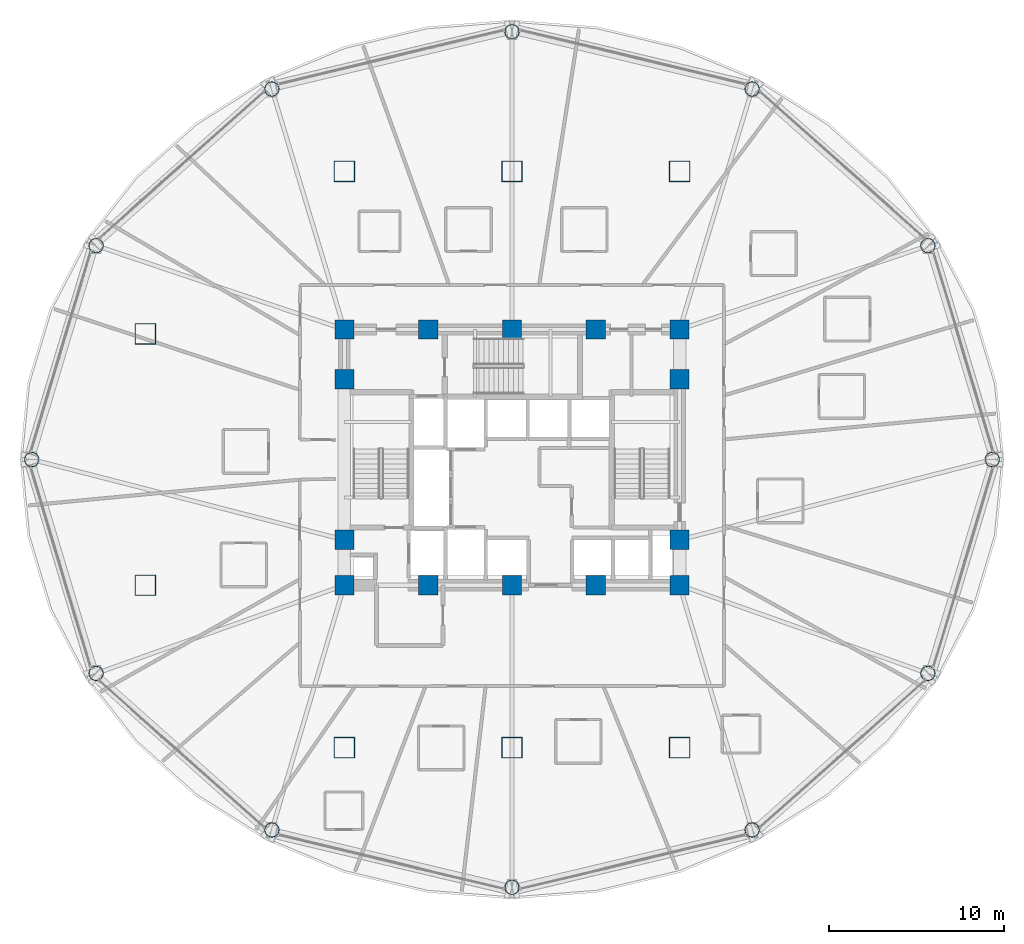
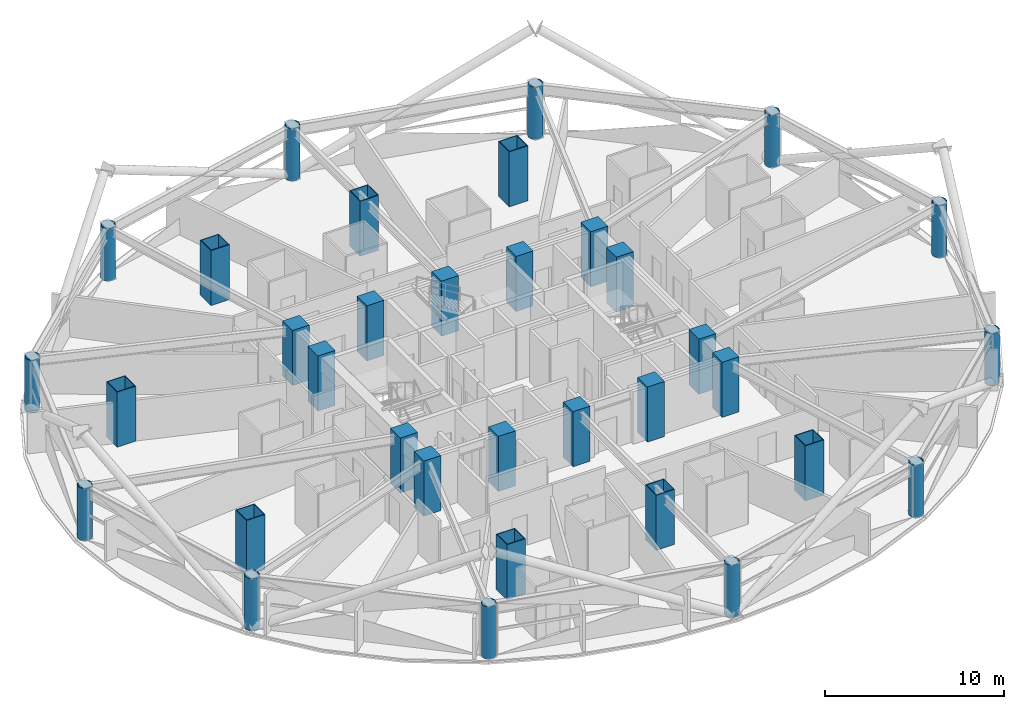
# One storey, part 1 of 30: 34 columns.
"""IFC4 building model written with IfcOpenShell, lengths in metres."""

from ifc_helpers import new_model, si_unit, direction, frame, origin, origin_2d, place, context, subcontext, project, spatial, rectangle, hollow_rectangle, hollow_circle, extrude, material, material_profile, profile_set, type_object, element, save


model = new_model("IFC4")

# Units and contexts
model_context = context("Model", 3, precision=1e-05, world=origin(), true_north=direction((0.0, 1.0)))
body_context = subcontext(model_context, "Body", "Model", "MODEL_VIEW")
ifc_project = project(units=[si_unit("LENGTHUNIT", "METRE"), si_unit("AREAUNIT", "SQUARE_METRE"), si_unit("VOLUMEUNIT", "CUBIC_METRE"), si_unit("PLANEANGLEUNIT", "RADIAN"), si_unit("MASSUNIT", "GRAM", prefix="KILO")], contexts=[model_context])

# Site, building, storey
site_placement = place(None, origin())
site = spatial("IfcSite", under=ifc_project, at=site_placement, CompositionType="ELEMENT")
building_placement = place(site_placement, origin())
building = spatial("IfcBuilding", under=site, at=building_placement, Name="Vantalir Tower", CompositionType="ELEMENT")
storey_placement = place(building_placement, frame((0.0, 0.0, 79.5)))
storey = spatial("IfcBuildingStorey", under=building, at=storey_placement, Name="L19", CompositionType="ELEMENT", Elevation=79.5)

# Columns
ifc_material_1 = material(Name="Concrete C60/75", Category="concrete")
ifc_material_profile_1 = material_profile(ifc_material_1, rectangle(XDim=1.10009765625, YDim=1.10009765625, at=origin_2d()), Name="Concrete C60/75")
ifc_profile_set_1 = profile_set([ifc_material_profile_1], Name="Concrete C60/75")
column_type_1 = type_object("IfcColumnType", Name="COL-CC-1100", PredefinedType="COLUMN", material=ifc_profile_set_1)
for number, where, z_axis, x_axis, name in (
    (1, (21.89990234375, 17.800048828125, 0.0), (0.0, 0.0, 1.0), (1.0, 0.0, 0.0), "L19 Core Column CC01"),
    (2, (26.699951171875, 17.800048828125, 0.0), (0.0, 0.0, 1.0), (1.0, 0.0, 0.0), "L19 Core Column CC02"),
    (3, (31.5, 17.800048828125, 0.0), (0.0, 0.0, 1.0), (1.0, 0.0, 0.0), "L19 Core Column CC03"),
    (4, (36.300048828125, 17.800048828125, 0.0), (0.0, 0.0, 1.0), (1.0, 0.0, 0.0), "L19 Core Column CC04"),
    (5, (41.10009765625, 17.800048828125, 0.0), (0.0, 0.0, 1.0), (1.0, 0.0, 0.0), "L19 Core Column CC05"),
    (6, (21.89990234375, 20.39990234375, 0.0), (0.0, 0.0, 1.0), (1.0, 0.0, 0.0), "L19 Core Column CC06"),
    (7, (21.89990234375, 29.60009765625, 0.0), (0.0, 0.0, 1.0), (1.0, 0.0, 0.0), "L19 Core Column CC07"),
    (8, (41.10009765625, 20.39990234375, 0.0), (0.0, 0.0, 1.0), (1.0, 0.0, 0.0), "L19 Core Column CC08"),
    (9, (41.10009765625, 29.60009765625, 0.0), (0.0, 0.0, 1.0), (1.0, 0.0, 0.0), "L19 Core Column CC09"),
    (10, (21.89990234375, 32.449951171875, 0.0), (0.0, 0.0, 1.0), (1.0, 0.0, 0.0), "L19 Core Column CC10"),
    (11, (26.699951171875, 32.449951171875, 0.0), (0.0, 0.0, 1.0), (1.0, 0.0, 0.0), "L19 Core Column CC11"),
    (12, (31.5, 32.449951171875, 0.0), (0.0, 0.0, 1.0), (1.0, 0.0, 0.0), "L19 Core Column CC12"),
    (13, (36.300048828125, 32.449951171875, 0.0), (0.0, 0.0, 1.0), (1.0, 0.0, 0.0), "L19 Core Column CC13"),
    (14, (41.10009765625, 32.449951171875, 0.0), (0.0, 0.0, 1.0), (1.0, 0.0, 0.0), "L19 Core Column CC14"),
):
    element("IfcColumn", number, at=place(storey_placement, frame(where, z_axis=z_axis, x_axis=x_axis)), inside=storey, type_object=column_type_1, Name=name, PredefinedType="COLUMN", context=body_context, shape_type="SweptSolid", body=[
        extrude(rectangle(XDim=1.10009765625, YDim=1.10009765625, at=origin_2d()), origin(), (0.0, 0.0, 1.0), 3.75),
    ])
ifc_material_2 = material(Name="Steel S460", Category="steel")
ifc_material_profile_2 = material_profile(ifc_material_2, hollow_rectangle(XDim=1.199951171875, YDim=1.199951171875, WallThickness=0.044921875, at=origin_2d()), Name="Steel S460")
ifc_profile_set_2 = profile_set([ifc_material_profile_2], Name="Steel S460")
column_type_2 = type_object("IfcColumnType", Name="COL-MC-1200", PredefinedType="COLUMN", material=ifc_profile_set_2)
for number, where, z_axis, x_axis, name in (
    (15, (21.89990234375, 8.5, 0.0), (0.0, 0.0, 1.0), (1.0, 0.0, 0.0), "L19 S460 Mega-Column MC01"),
    (16, (31.5, 8.5, 0.0), (0.0, 0.0, 1.0), (1.0, 0.0, 0.0), "L19 S460 Mega-Column MC02"),
    (17, (41.10009765625, 8.5, 0.0), (0.0, 0.0, 1.0), (1.0, 0.0, 0.0), "L19 S460 Mega-Column MC03"),
    (18, (10.5, 17.800048828125, 0.0), (0.0, 0.0, 1.0), (1.0, 0.0, 0.0), "L19 S460 Mega-Column MC04"),
    (19, (10.5, 32.199951171875, 0.0), (0.0, 0.0, 1.0), (1.0, 0.0, 0.0), "L19 S460 Mega-Column MC05"),
    (20, (21.89990234375, 41.5, 0.0), (0.0, 0.0, 1.0), (1.0, 0.0, 0.0), "L19 S460 Mega-Column MC06"),
    (21, (31.5, 41.5, 0.0), (0.0, 0.0, 1.0), (1.0, 0.0, 0.0), "L19 S460 Mega-Column MC07"),
    (22, (41.10009765625, 41.5, 0.0), (0.0, 0.0, 1.0), (1.0, 0.0, 0.0), "L19 S460 Mega-Column MC08"),
):
    element("IfcColumn", number, at=place(storey_placement, frame(where, z_axis=z_axis, x_axis=x_axis)), inside=storey, type_object=column_type_2, Name=name, PredefinedType="COLUMN", context=body_context, shape_type="SweptSolid", body=[
        extrude(hollow_rectangle(XDim=1.199951171875, YDim=1.199951171875, WallThickness=0.044921875, at=origin_2d()), origin(), (0.0, 0.0, 1.0), 3.75),
    ])
ifc_material_profile_3 = material_profile(ifc_material_2, hollow_circle(Radius=0.425048828125, WallThickness=0.0400390625, at=origin_2d()), Name="Steel S460")
ifc_profile_set_3 = profile_set([ifc_material_profile_3], Name="Steel S460")
column_type_3 = type_object("IfcColumnType", Name="COL-RC-850", PredefinedType="COLUMN", material=ifc_profile_set_3)
for number, where, z_axis, x_axis, name in (
    (23, (59.0, 25.0, 0.0), (0.0, 0.0, 1.0), (1.0, 0.0, 0.0), "L19 Perimeter Ring Column RC01"),
    (24, (55.31591796875, 37.2470703125, 0.0), (0.0, 0.0, 1.0), (1.0, 0.0, 0.0), "L19 Perimeter Ring Column RC02"),
    (25, (45.25, 46.212890625, 0.0), (0.0, 0.0, 1.0), (1.0, 0.0, 0.0), "L19 Perimeter Ring Column RC03"),
    (26, (31.5, 49.4951171875, 0.0), (0.0, 0.0, 1.0), (1.0, 0.0, 0.0), "L19 Perimeter Ring Column RC04"),
    (27, (17.75, 46.212890625, 0.0), (0.0, 0.0, 1.0), (1.0, 0.0, 0.0), "L19 Perimeter Ring Column RC05"),
    (28, (7.68408203125, 37.2470703125, 0.0), (0.0, 0.0, 1.0), (1.0, 0.0, 0.0), "L19 Perimeter Ring Column RC06"),
    (29, (4.0, 25.0, 0.0), (0.0, 0.0, 1.0), (1.0, 0.0, 0.0), "L19 Perimeter Ring Column RC07"),
    (30, (7.68408203125, 12.751953125, 0.0), (0.0, 0.0, 1.0), (1.0, 0.0, 0.0), "L19 Perimeter Ring Column RC08"),
    (31, (17.75, 3.787109375, 0.0), (0.0, 0.0, 1.0), (1.0, 0.0, 0.0), "L19 Perimeter Ring Column RC09"),
    (32, (31.5, 0.5048828125, 0.0), (0.0, 0.0, 1.0), (1.0, 0.0, 0.0), "L19 Perimeter Ring Column RC10"),
    (33, (45.25, 3.787109375, 0.0), (0.0, 0.0, 1.0), (1.0, 0.0, 0.0), "L19 Perimeter Ring Column RC11"),
    (34, (55.31591796875, 12.751953125, 0.0), (0.0, 0.0, 1.0), (1.0, 0.0, 0.0), "L19 Perimeter Ring Column RC12"),
):
    element("IfcColumn", number, at=place(storey_placement, frame(where, z_axis=z_axis, x_axis=x_axis)), inside=storey, type_object=column_type_3, Name=name, PredefinedType="COLUMN", context=body_context, shape_type="SweptSolid", body=[
        extrude(hollow_circle(Radius=0.425048828125, WallThickness=0.0400390625, at=origin_2d()), origin(), (0.0, 0.0, 1.0), 3.570068359375),
    ])

save(model, "model.ifc")
